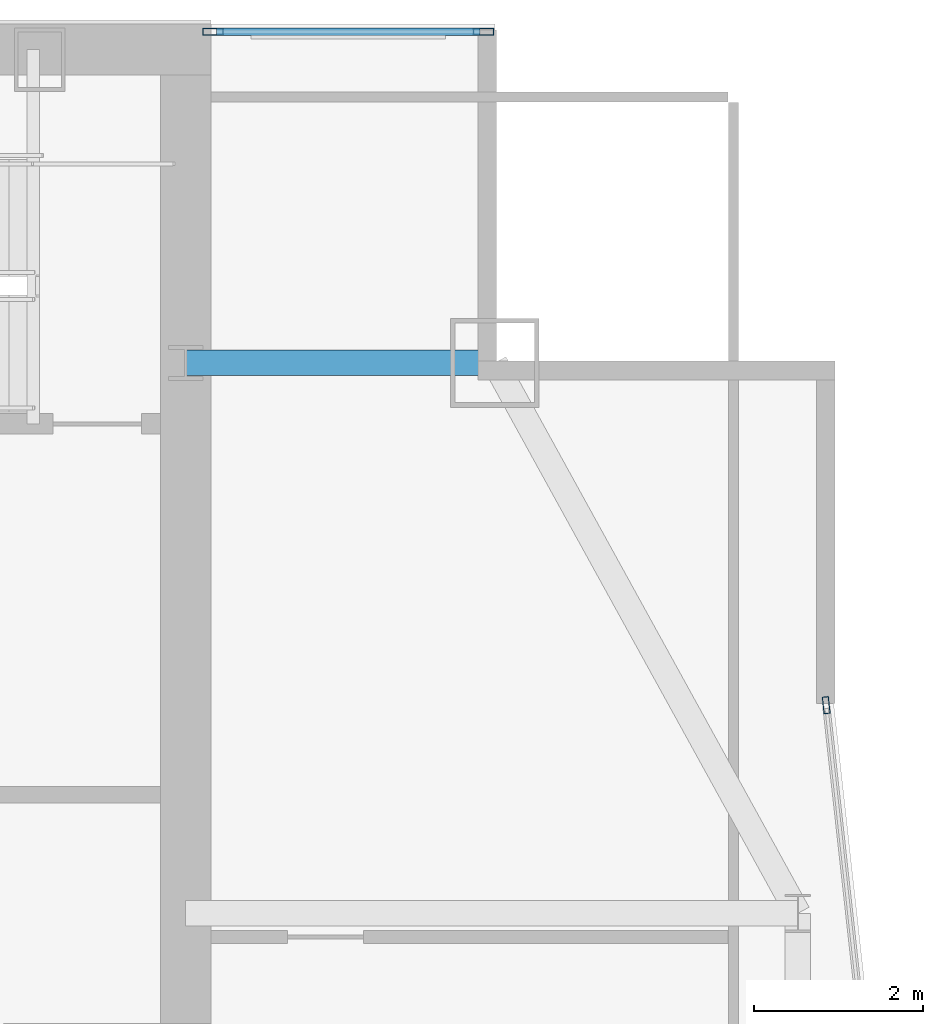
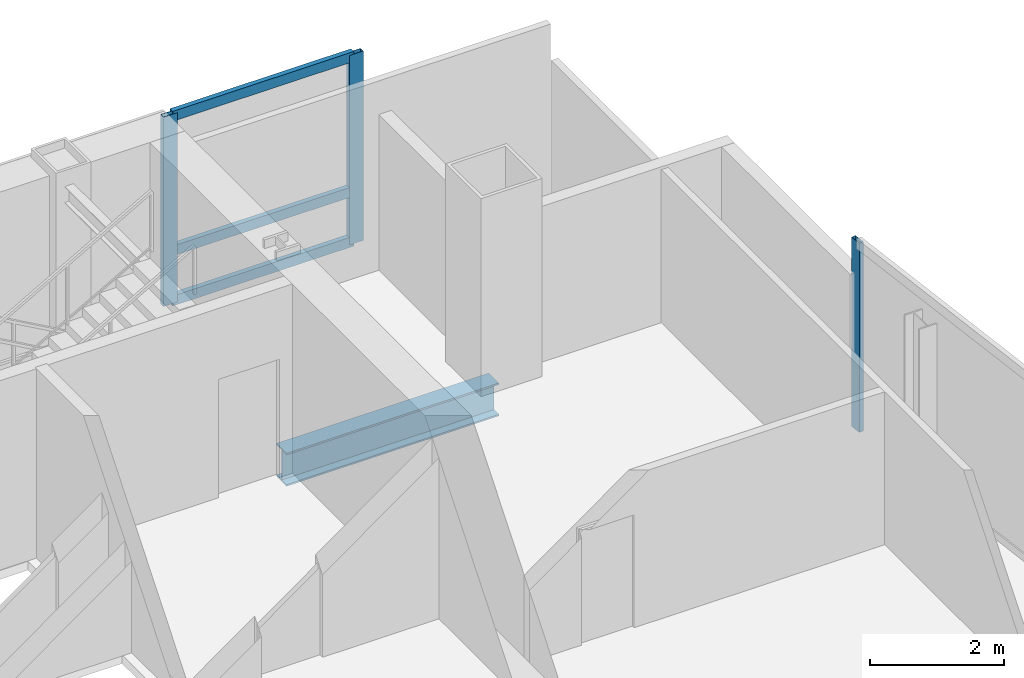
# One storey, part 22 of 29: 6 members, 1 beam, 2 elements without a shape of their own.
"""IFC4 building model written with IfcOpenShell, lengths in metres."""

from ifc_helpers import new_model, si_unit, direction, frame, origin, origin_2d, place, context, subcontext, project, spatial, hollow_rectangle, i_section, extrude, material, material_profile, profile_set, type_object, element, aggregate, save


model = new_model("IFC4")

# Units and contexts
model_context = context("Model", 3, precision=1e-05, world=origin(), true_north=direction((0.0, 1.0)))
body_context = subcontext(model_context, "Body", "Model", "MODEL_VIEW")
ifc_project = project(units=[si_unit("LENGTHUNIT", "METRE"), si_unit("AREAUNIT", "SQUARE_METRE"), si_unit("VOLUMEUNIT", "CUBIC_METRE"), si_unit("PLANEANGLEUNIT", "RADIAN"), si_unit("MASSUNIT", "GRAM", prefix="KILO")], contexts=[model_context])

# Site, building, storey
site_placement = place(None, origin())
site = spatial("IfcSite", under=ifc_project, at=site_placement, CompositionType="ELEMENT")
building_placement = place(site_placement, origin())
building = spatial("IfcBuilding", under=site, at=building_placement, Name="Khoronbel Lancet Exchange", CompositionType="ELEMENT")
storey_placement = place(building_placement, frame((0.0, 0.0, 246.199951171875)))
storey = spatial("IfcBuildingStorey", under=building, at=storey_placement, Name="L63", CompositionType="ELEMENT", Elevation=246.199951171875)

# Beam
ifc_material_1 = material(Name="Steel S355", Category="steel")
ifc_material_profile_1 = material_profile(ifc_material_1, i_section(OverallWidth=0.300048828125, OverallDepth=0.60009765625, WebThickness=0.015380859375, FlangeThickness=0.030029296875, at=origin_2d()), Name="HEB 600")
ifc_profile_set_1 = profile_set([ifc_material_profile_1], Name="Steel S355")
beam_type = type_object("IfcBeamType", Name="BM-BSP2", PredefinedType="SPANDREL", material=ifc_profile_set_1)
beam_placement = place(storey_placement, frame((60.050048828125, 49.699951171875, -0.4599609375), z_axis=(-1.0, 0.0, 0.0), x_axis=(0.0, -1.0, 0.0)))
element("IfcBeam", 1, at=beam_placement, inside=storey, type_object=beam_type, Name="Level L63 north flank tie spandrel SP23", PredefinedType="SPANDREL", context=body_context, shape_type="SweptSolid", body=[
    extrude(i_section(OverallWidth=0.300048828125, OverallDepth=0.60009765625, WebThickness=0.015380859375, FlangeThickness=0.030029296875, at=origin_2d()), origin(), (0.0, 0.0, 1.0), 3.650146484375),
])

# Curtain wall, members
ifc_material_2 = material(Name="Low-E Solar Control Insulating Glass", Category="glass")
curtain_wall_type_1 = type_object("IfcCurtainWallType", Name="CW-3", PredefinedType="NOTDEFINED", material=ifc_material_2)
curtain_wall_1_placement = place(storey_placement, origin())
curtain_wall_1 = element("IfcCurtainWall", 2, at=curtain_wall_1_placement, inside=storey, type_object=curtain_wall_type_1, Name="Unitised curtain wall CW-L63-NEFLK", PredefinedType="NOTDEFINED")
ifc_material_3 = material(Name="Bronze-Anodised Aluminium 6063-T6", Category="aluminium")
ifc_material_profile_2 = material_profile(ifc_material_3, hollow_rectangle(XDim=0.0849609375, YDim=0.239990234375, WallThickness=0.006103515625, at=origin_2d()), Name="ALU MULLION 85x240")
ifc_profile_set_2 = profile_set([ifc_material_profile_2], Name="Bronze-Anodised Aluminium 6063-T6")
member_type_1 = type_object("IfcMemberType", Name="MEM-CWM1", PredefinedType="MULLION", material=ifc_profile_set_2)
member_1_placement = place(storey_placement, frame((59.91748046875, 53.610107421875, 0.0), z_axis=(0.0, 0.0, 1.0), x_axis=(0.0, -1.0, 0.0)))
member_1 = element("IfcMember", 3, at=member_1_placement, type_object=member_type_1, Name="CW3 mullion 1", PredefinedType="MULLION", context=body_context, shape_type="SweptSolid", body=[
    extrude(hollow_rectangle(XDim=0.0849609375, YDim=0.239990234375, WallThickness=0.006103515625, at=origin_2d()), origin(), (0.0, 0.0, 1.0), 3.43994140625),
])
member_2_placement = place(storey_placement, frame((56.722412109375, 53.610107421875, 0.0), z_axis=(0.0, 0.0, 1.0), x_axis=(0.0, -1.0, 0.0)))
member_2 = element("IfcMember", 4, at=member_2_placement, type_object=member_type_1, Name="CW3 mullion 2", PredefinedType="MULLION", context=body_context, shape_type="SweptSolid", body=[
    extrude(hollow_rectangle(XDim=0.0849609375, YDim=0.239990234375, WallThickness=0.006103515625, at=origin_2d()), origin(), (0.0, 0.0, 1.0), 3.43994140625),
])

# Curtain wall, member
curtain_wall_type_2 = type_object("IfcCurtainWallType", Name="CW-4", PredefinedType="NOTDEFINED", material=ifc_material_2)
curtain_wall_2_placement = place(storey_placement, origin())
curtain_wall_2 = element("IfcCurtainWall", 5, at=curtain_wall_2_placement, inside=storey, type_object=curtain_wall_type_2, Name="Unitised curtain wall CW-L63-E17", PredefinedType="NOTDEFINED")
ifc_material_profile_3 = material_profile(ifc_material_3, hollow_rectangle(XDim=0.074951171875, YDim=0.199951171875, WallThickness=0.0048828125, at=origin_2d()), Name="ALU MULLION 75x200")
ifc_profile_set_3 = profile_set([ifc_material_profile_3], Name="Bronze-Anodised Aluminium 6063-T6")
member_type_2 = type_object("IfcMemberType", Name="MEM-CWM2", PredefinedType="MULLION", material=ifc_profile_set_3)
member_3_placement = place(storey_placement, frame((63.964111328125, 45.65771484375, 0.0), z_axis=(0.0, 0.0, 1.0), x_axis=(0.993947317123, 0.109857775256, 0.0)))
member_3 = element("IfcMember", 6, at=member_3_placement, type_object=member_type_2, Name="CW4 mullion 1", PredefinedType="MULLION", context=body_context, shape_type="SweptSolid", body=[
    extrude(hollow_rectangle(XDim=0.074951171875, YDim=0.199951171875, WallThickness=0.0048828125, at=origin_2d()), origin(), (0.0, 0.0, 1.0), 3.43994140625),
])
aggregate(curtain_wall_2, [member_3])

# Member
ifc_material_profile_4 = material_profile(ifc_material_3, hollow_rectangle(XDim=0.0849609375, YDim=0.179931640625, WallThickness=0.0048828125, at=origin_2d()), Name="ALU TRANSOM 85x180")
ifc_profile_set_4 = profile_set([ifc_material_profile_4], Name="Bronze-Anodised Aluminium 6063-T6")
member_type_3 = type_object("IfcMemberType", Name="MEM-CWT1", PredefinedType="USERDEFINED", material=ifc_profile_set_4)
member_4_placement = place(storey_placement, frame((59.875, 53.610107421875, 0.04248046875), z_axis=(-1.0, 0.0, 0.0), x_axis=(0.0, -1.0, 0.0)))
member_4 = element("IfcMember", 7, at=member_4_placement, type_object=member_type_3, Name="CW3 transom 1.1", ObjectType="TRANSOM", PredefinedType="USERDEFINED", context=body_context, shape_type="SweptSolid", body=[
    extrude(hollow_rectangle(XDim=0.0849609375, YDim=0.179931640625, WallThickness=0.0048828125, at=origin_2d()), origin(), (0.0, 0.0, 1.0), 3.110107421875),
])

member_5_placement = place(storey_placement, frame((59.875, 53.610107421875, 0.949951171875), z_axis=(-1.0, 0.0, 0.0), x_axis=(0.0, -1.0, 0.0)))
member_5 = element("IfcMember", 8, at=member_5_placement, type_object=member_type_3, Name="CW3 transom 1.2", ObjectType="TRANSOM", PredefinedType="USERDEFINED", context=body_context, shape_type="SweptSolid", body=[
    extrude(hollow_rectangle(XDim=0.0849609375, YDim=0.179931640625, WallThickness=0.0048828125, at=origin_2d()), origin(), (0.0, 0.0, 1.0), 3.110107421875),
])

member_6_placement = place(storey_placement, frame((59.875, 53.610107421875, 3.3974609375), z_axis=(-1.0, 0.0, 0.0), x_axis=(0.0, -1.0, 0.0)))
member_6 = element("IfcMember", 9, at=member_6_placement, type_object=member_type_3, Name="CW3 transom 1.3", ObjectType="TRANSOM", PredefinedType="USERDEFINED", context=body_context, shape_type="SweptSolid", body=[
    extrude(hollow_rectangle(XDim=0.0849609375, YDim=0.179931640625, WallThickness=0.0048828125, at=origin_2d()), origin(), (0.0, 0.0, 1.0), 3.110107421875),
])

aggregate(curtain_wall_1, [member_1, member_2, member_4, member_5, member_6])

save(model, "model.ifc")
